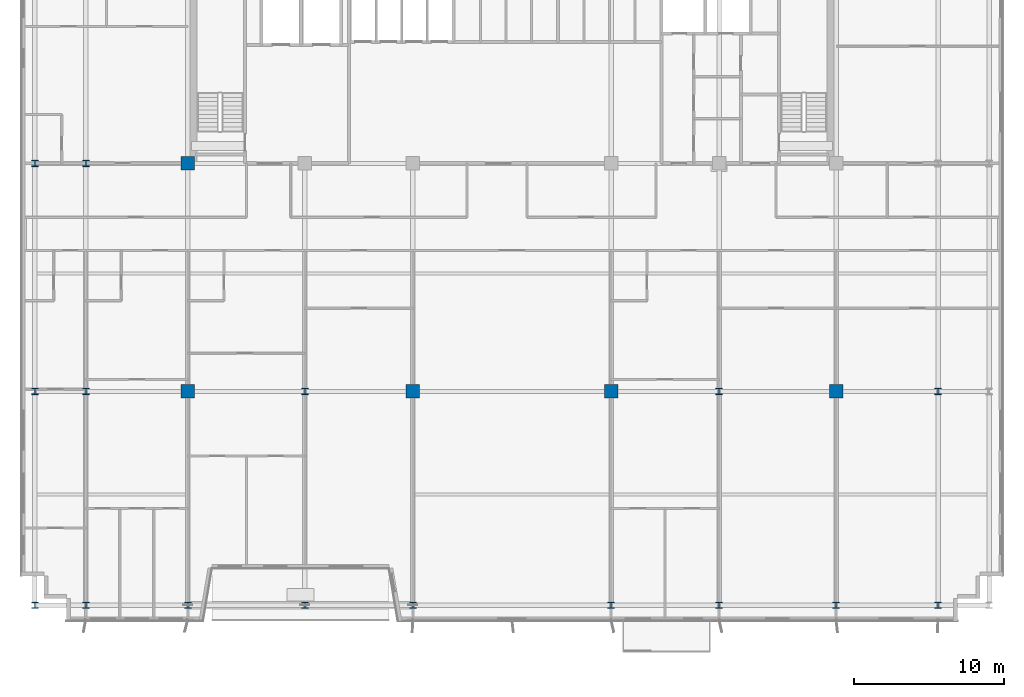
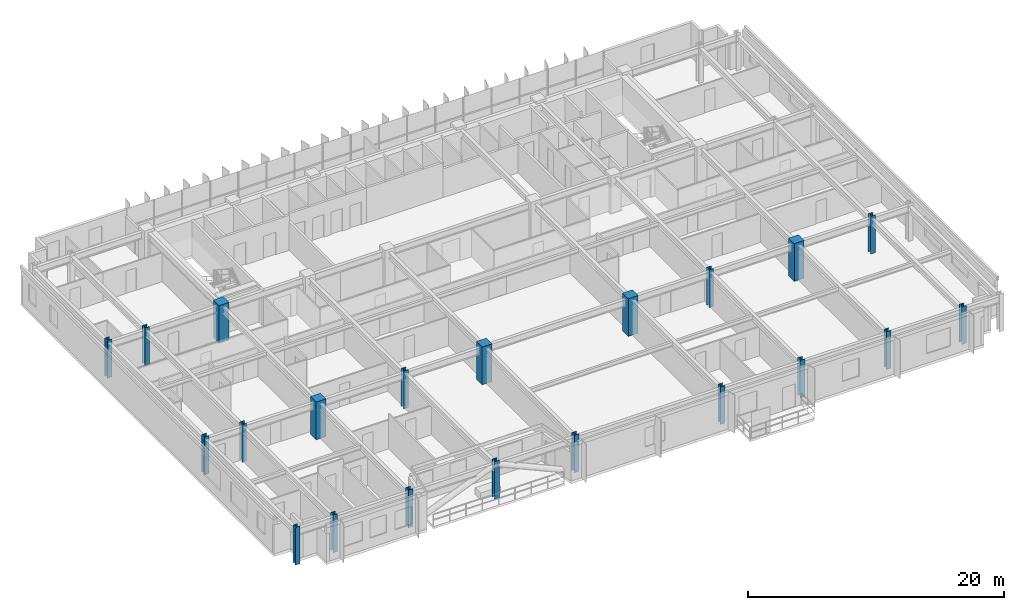
# One storey, part 1 of 23: 21 columns.
"""IFC4 building model written with IfcOpenShell, lengths in metres."""

from ifc_helpers import new_model, si_unit, direction, frame, origin, origin_2d, place, context, subcontext, project, spatial, rectangle, i_section, extrude, source, transform, mapped, material, material_profile, profile_set, type_object, element, save


model = new_model("IFC4")

# Units and contexts
model_context = context("Model", 3, precision=1e-05, world=origin(), true_north=direction((0.0, 1.0)))
body_context = subcontext(model_context, "Body", "Model", "MODEL_VIEW")
ifc_project = project(units=[si_unit("LENGTHUNIT", "METRE"), si_unit("AREAUNIT", "SQUARE_METRE"), si_unit("VOLUMEUNIT", "CUBIC_METRE"), si_unit("PLANEANGLEUNIT", "RADIAN"), si_unit("MASSUNIT", "GRAM", prefix="KILO")], contexts=[model_context])

# Site, building, storey
site_placement = place(None, origin())
site = spatial("IfcSite", under=ifc_project, at=site_placement, CompositionType="ELEMENT")
building_placement = place(site_placement, origin())
building = spatial("IfcBuilding", under=site, at=building_placement, Name="Trelvane Seafront Commons", CompositionType="ELEMENT")
storey_placement = place(building_placement, frame((0.0, 0.0, 63.10009765625)))
storey = spatial("IfcBuildingStorey", under=building, at=storey_placement, Name="L16", CompositionType="ELEMENT", Elevation=63.10009765625)

# Columns
ifc_material_1 = material(Name="Steel SM355 (S355)", Category="steel")
ifc_material_profile_1 = material_profile(ifc_material_1, i_section(OverallWidth=0.419921875, OverallDepth=0.419921875, WebThickness=0.02587890625, FlangeThickness=0.0400390625, at=origin_2d()), Name="HD-420x420x26x40")
ifc_profile_set_1 = profile_set([ifc_material_profile_1], Name="Steel SM355 (S355)")
column_type_1 = type_object("IfcColumnType", Name="STR-COL-HD420", PredefinedType="COLUMN", material=ifc_profile_set_1)
shared_shape_1 = source(origin(), body_context, "Body", "SweptSolid", [
    extrude(i_section(OverallWidth=0.419921875, OverallDepth=0.419921875, WebThickness=0.02587890625, FlangeThickness=0.0400390625, at=origin_2d()), origin(), (0.0, 0.0, 1.0), 3.599853515625),
])
for number, where, z_axis, x_axis, name in (
    (1, (5.39990234375, 3.949951171875, 0.0), (0.0, 0.0, 1.0), (1.0, 0.0, 0.0), "L16 Column TC-S5.4"),
    (2, (5.39990234375, 18.199951171875, 0.0), (0.0, 0.0, 1.0), (1.0, 0.0, 0.0), "L16 Column TC-M5.4"),
    (3, (5.39990234375, 33.39990234375, 0.0), (0.0, 0.0, 1.0), (1.0, 0.0, 0.0), "L16 Column TC-CS5.4"),
    (4, (8.800048828125, 3.949951171875, 0.0), (0.0, 0.0, 1.0), (1.0, 0.0, 0.0), "L16 Column TC-S8.8"),
    (5, (8.800048828125, 18.199951171875, 0.0), (0.0, 0.0, 1.0), (1.0, 0.0, 0.0), "L16 Column TC-M8.8"),
    (6, (8.800048828125, 33.39990234375, 0.0), (0.0, 0.0, 1.0), (1.0, 0.0, 0.0), "L16 Column TC-CS8.8"),
    (7, (15.60009765625, 3.949951171875, 0.0), (0.0, 0.0, 1.0), (1.0, 0.0, 0.0), "L16 Column TC-S15.6"),
    (8, (23.39990234375, 3.949951171875, 0.0), (0.0, 0.0, 1.0), (1.0, 0.0, 0.0), "L16 Column TC-S23.4"),
    (9, (23.39990234375, 18.199951171875, 0.0), (0.0, 0.0, 1.0), (1.0, 0.0, 0.0), "L16 Column TC-M23.4"),
    (10, (30.60009765625, 3.949951171875, 0.0), (0.0, 0.0, 1.0), (1.0, 0.0, 0.0), "L16 Column TC-S30.6"),
    (11, (43.800048828125, 3.949951171875, 0.0), (0.0, 0.0, 1.0), (1.0, 0.0, 0.0), "L16 Column TC-S43.8"),
    (12, (51.0, 3.949951171875, 0.0), (0.0, 0.0, 1.0), (1.0, 0.0, 0.0), "L16 Column TC-S51.0"),
    (13, (51.0, 18.199951171875, 0.0), (0.0, 0.0, 1.0), (1.0, 0.0, 0.0), "L16 Column TC-M51.0"),
    (14, (58.800048828125, 3.949951171875, 0.0), (0.0, 0.0, 1.0), (1.0, 0.0, 0.0), "L16 Column TC-S58.8"),
    (15, (65.60009765625, 3.949951171875, 0.0), (0.0, 0.0, 1.0), (1.0, 0.0, 0.0), "L16 Column TC-S65.6"),
    (16, (65.60009765625, 18.199951171875, 0.0), (0.0, 0.0, 1.0), (1.0, 0.0, 0.0), "L16 Column TC-M65.6"),
):
    element("IfcColumn", number, at=place(storey_placement, frame(where, z_axis=z_axis, x_axis=x_axis)), inside=storey, type_object=column_type_1, Name=name, PredefinedType="COLUMN", context=body_context, shape_type="MappedRepresentation", body=[
        mapped(shared_shape_1, transform((0.0, 0.0, 0.0), x_axis=(1.0, 0.0, 0.0), y_axis=(0.0, 1.0, 0.0), z_axis=(0.0, 0.0, 1.0), scale=1.0)),
    ])
ifc_material_2 = material(Name="Concrete C60/75", Category="concrete")
ifc_material_profile_2 = material_profile(ifc_material_2, rectangle(XDim=0.89990234375, YDim=0.89990234375, at=origin_2d()), Name="RC-900x900")
ifc_profile_set_2 = profile_set([ifc_material_profile_2], Name="Concrete C60/75")
column_type_2 = type_object("IfcColumnType", Name="STR-COL-RC900", PredefinedType="COLUMN", material=ifc_profile_set_2)
shared_shape_2 = source(origin(), body_context, "Body", "SweptSolid", [
    extrude(rectangle(XDim=0.89990234375, YDim=0.89990234375, at=origin_2d()), origin(), (0.0, 0.0, 1.0), 3.599853515625),
])
for number, where, z_axis, x_axis, name in (
    (17, (15.60009765625, 18.199951171875, 0.0), (0.0, 0.0, 1.0), (1.0, 0.0, 0.0), "L16 Column TC-M15.6"),
    (18, (15.60009765625, 33.39990234375, 0.0), (0.0, 0.0, 1.0), (1.0, 0.0, 0.0), "L16 Column TC-CS15.6"),
    (19, (30.60009765625, 18.199951171875, 0.0), (0.0, 0.0, 1.0), (1.0, 0.0, 0.0), "L16 Column TC-M30.6"),
    (20, (43.800048828125, 18.199951171875, 0.0), (0.0, 0.0, 1.0), (1.0, 0.0, 0.0), "L16 Column TC-M43.8"),
    (21, (58.800048828125, 18.199951171875, 0.0), (0.0, 0.0, 1.0), (1.0, 0.0, 0.0), "L16 Column TC-M58.8"),
):
    element("IfcColumn", number, at=place(storey_placement, frame(where, z_axis=z_axis, x_axis=x_axis)), inside=storey, type_object=column_type_2, Name=name, PredefinedType="COLUMN", context=body_context, shape_type="MappedRepresentation", body=[
        mapped(shared_shape_2, transform((0.0, 0.0, 0.0), x_axis=(1.0, 0.0, 0.0), y_axis=(0.0, 1.0, 0.0), z_axis=(0.0, 0.0, 1.0), scale=1.0)),
    ])

save(model, "model.ifc")
